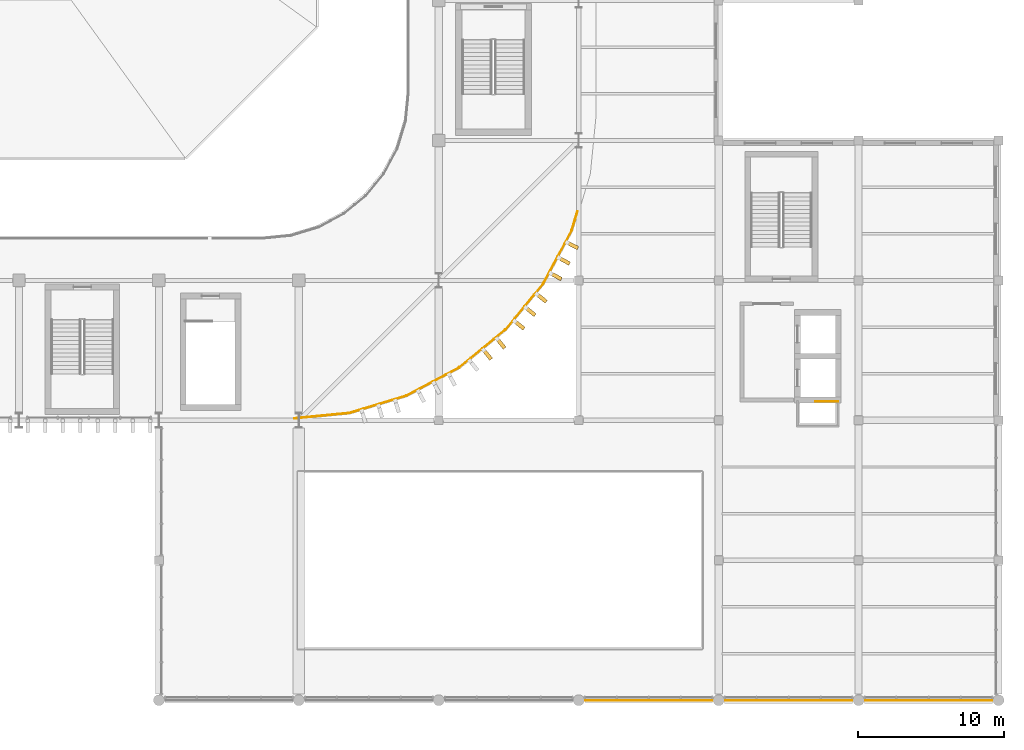
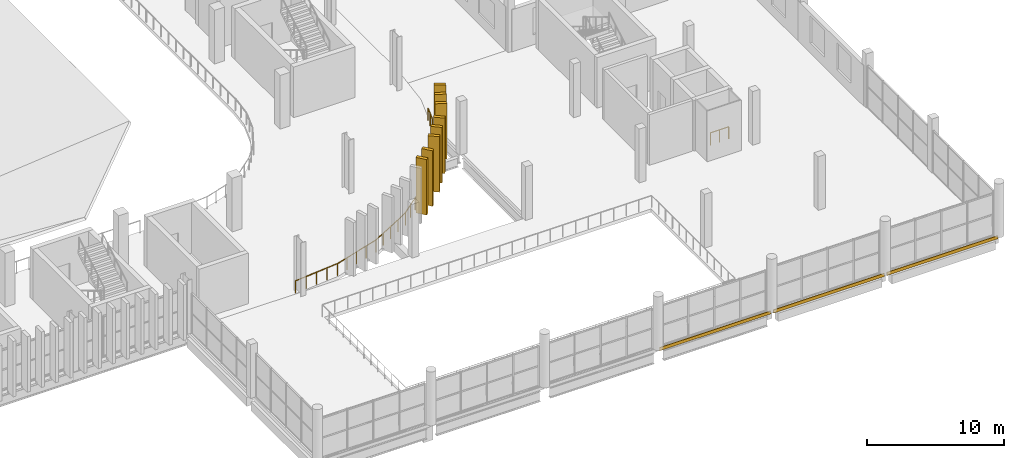
# One storey, part 92 of 99: 11 coverings, 2 railings.
"""IFC4 building model written with IfcOpenShell, lengths in metres."""

from ifc_helpers import new_model, si_unit, direction, frame, origin, origin_2d, place, context, subcontext, project, spatial, rectangle, circle, extrude, material, layer, layer_set, material_profile, profile_set, type_object, element, save


model = new_model("IFC4")

# Units and contexts
model_context = context("Model", 3, precision=1e-05, world=origin(), true_north=direction((0.0, 1.0)))
body_context = subcontext(model_context, "Body", "Model", "MODEL_VIEW")
ifc_project = project(units=[si_unit("LENGTHUNIT", "METRE"), si_unit("AREAUNIT", "SQUARE_METRE"), si_unit("VOLUMEUNIT", "CUBIC_METRE"), si_unit("PLANEANGLEUNIT", "RADIAN"), si_unit("MASSUNIT", "GRAM", prefix="KILO")], contexts=[model_context])

# Site, building, storey
site_placement = place(None, origin())
site = spatial("IfcSite", under=ifc_project, at=site_placement, CompositionType="ELEMENT")
building_placement = place(site_placement, origin())
building = spatial("IfcBuilding", under=site, at=building_placement, Name="Caelomonte Colonnade Arena", CompositionType="ELEMENT")
storey_placement = place(building_placement, frame((0.0, 0.0, 4.800048828125)))
storey = spatial("IfcBuildingStorey", under=building, at=storey_placement, Name="L01", CompositionType="ELEMENT", Elevation=4.800048828125)

# Coverings
ifc_material_1 = material(Name="Travertine ashlar limestone cladding", Category="masonry")
ifc_layer = layer(ifc_material_1, 0.06005859375)
ifc_layer_set = layer_set([ifc_layer], Name="Travertine ashlar limestone cladding")
covering_type_1 = type_object("IfcCoveringType", Name="ENV-CV-CLAD1", PredefinedType="CLADDING", material=ifc_layer_set)
for number, where, z_axis, x_axis, name in (
    (1, (168.0, -0.02001953125, -0.2900390625), (0.0, 0.0, 1.0), (1.0, 0.0, 0.0), "Portico limestone entablature cladding L01-4"),
    (2, (177.60009765625, -0.02001953125, -0.2900390625), (0.0, 0.0, 1.0), (1.0, 0.0, 0.0), "Portico limestone entablature cladding L01-5"),
    (3, (187.199951171875, -0.02001953125, -0.2900390625), (0.0, 0.0, 1.0), (1.0, 0.0, 0.0), "Portico limestone entablature cladding L01-6"),
):
    element("IfcCovering", number, at=place(storey_placement, frame(where, z_axis=z_axis, x_axis=x_axis)), inside=storey, type_object=covering_type_1, Name=name, PredefinedType="CLADDING", context=body_context, shape_type="SweptSolid", body=[
        extrude(rectangle(XDim=9.39990234375, YDim=0.06005859375, at=origin_2d()), origin(), (0.0, 0.0, 1.0), 0.280029296875),
    ])
ifc_material_2 = material(Name="Precast travertine cladding", Category="masonry")
ifc_material_profile = material_profile(ifc_material_2, rectangle(XDim=0.260009765625, YDim=0.85009765625, at=origin_2d()), Name="FIN260X850")
ifc_profile_set = profile_set([ifc_material_profile], Name="Precast travertine cladding")
covering_type_2 = type_object("IfcCoveringType", Name="ENV-FN-SHAFT", PredefinedType="CLADDING", material=ifc_profile_set)
for number, where, z_axis, x_axis, name in (
    (4, (156.92529296875, 23.719482421875, -0.16015625), (0.0, 0.0, 1.0), (-0.77299384472, -0.634413521313, 0.0), "V1 L01 classical travertine vertical fin 11"),
    (5, (157.852783203125, 24.480712890625, -0.16015625), (0.0, 0.0, 1.0), (-0.77299384472, -0.634413521313, 0.0), "V1 L01 classical travertine vertical fin 12"),
    (6, (159.119140625, 25.747314453125, -0.16015625), (0.0, 0.0, 1.0), (-0.634413521313, -0.77299384472, 0.0), "V1 L01 classical travertine vertical fin 13"),
    (7, (159.880615234375, 26.6748046875, -0.16015625), (0.0, 0.0, 1.0), (-0.634413521313, -0.77299384472, 0.0), "V1 L01 classical travertine vertical fin 14"),
    (8, (160.641845703125, 27.602294921875, -0.16015625), (0.0, 0.0, 1.0), (-0.634413521313, -0.77299384472, 0.0), "V1 L01 classical travertine vertical fin 15"),
    (9, (161.63671875, 29.091552734375, -0.16015625), (0.0, 0.0, 1.0), (-0.471396736826, -0.881921264348, 0.0), "V1 L01 classical travertine vertical fin 16"),
    (10, (162.202392578125, 30.14990234375, -0.16015625), (0.0, 0.0, 1.0), (-0.471396736826, -0.881921264348, 0.0), "V1 L01 classical travertine vertical fin 17"),
    (11, (162.768310546875, 31.2080078125, -0.16015625), (0.0, 0.0, 1.0), (-0.471396736826, -0.881921264348, 0.0), "V1 L01 classical travertine vertical fin 18"),
):
    element("IfcCovering", number, at=place(storey_placement, frame(where, z_axis=z_axis, x_axis=x_axis)), inside=storey, type_object=covering_type_2, Name=name, PredefinedType="CLADDING", context=body_context, shape_type="SweptSolid", body=[
        extrude(rectangle(XDim=0.260009765625, YDim=0.85009765625, at=origin_2d()), origin(), (0.0, 0.0, 1.0), 4.960205078125),
    ])

# Railings
ifc_material_3 = material(Name="Painted galvanized steel handrail and posts", Category="steel")
railing_type_1 = type_object("IfcRailingType", Name="ENV-RL-GRD1", PredefinedType="GUARDRAIL", material=ifc_material_3)
railing_1_placement = place(storey_placement, frame((163.111083984375, 33.52880859375, 0.0)))
element("IfcRailing", 12, at=railing_1_placement, inside=storey, type_object=railing_type_1, Name="L01 SE colonnade loggia perimeter guard 1", PredefinedType="GUARDRAIL", context=body_context, shape_type="SweptSolid", body=[
    extrude(circle(Radius=0.02392578125, at=origin_2d()), frame((0.0, 0.0, 1.076171875), z_axis=(-0.290222447422, -0.956959210736, 0.0), x_axis=(0.956959210736, -0.290222447422, 0.0)), (0.0, 0.0, 1.0), 1.35498046875),
    extrude(circle(Radius=0.02392578125, at=origin_2d()), frame((-0.4169921875, -1.354248046875, 1.076171875), z_axis=(-0.471407637126, -0.88191543793, 0.0), x_axis=(0.88191543793, -0.471407637126, 0.0)), (0.0, 0.0, 1.0), 4.03466796875),
    extrude(circle(Radius=0.02392578125, at=origin_2d()), frame((-2.353515625, -4.964111328125, 1.076171875), z_axis=(-0.634434399082, -0.772976709391, 0.0), x_axis=(0.772976709391, -0.634434399082, 0.0)), (0.0, 0.0, 1.0), 4.03466796875),
    extrude(circle(Radius=0.02392578125, at=origin_2d()), frame((-4.957275390625, -8.126708984375, 1.076171875), z_axis=(-0.77295272311, -0.634463622154, 0.0), x_axis=(0.634463622154, -0.77295272311, 0.0)), (0.0, 0.0, 1.0), 4.034423828125),
    extrude(circle(Radius=0.02392578125, at=origin_2d()), frame((-8.12744140625, -10.720947265625, 1.076171875), z_axis=(-0.881940210989, -0.471361288441, 0.0), x_axis=(0.471361288441, -0.881940210989, 0.0)), (0.0, 0.0, 1.0), 4.034423828125),
    extrude(circle(Radius=0.02392578125, at=origin_2d()), frame((-11.7431640625, -12.646484375, 1.076171875), z_axis=(-0.95694769148, -0.290260427498, 0.0), x_axis=(0.290260427498, -0.95694769148, 0.0)), (0.0, 0.0, 1.0), 4.034423828125),
    extrude(circle(Radius=0.02392578125, at=origin_2d()), frame((-15.664794921875, -13.829833984375, 1.076171875), z_axis=(-0.995182698904, -0.098037726419, 0.0), x_axis=(0.098037726419, -0.995182698904, 0.0)), (0.0, 0.0, 1.0), 3.761474609375),
    extrude(circle(Radius=0.02099609375, at=origin_2d()), origin(), (0.0, 0.0, 1.0), 1.048095703125),
    extrude(circle(Radius=0.02099609375, at=origin_2d()), frame((-0.201171875, -0.663330078125, 0.0)), (0.0, 0.0, 1.0), 1.048095703125),
    extrude(circle(Radius=0.02099609375, at=origin_2d()), frame((-0.40234375, -1.32666015625, 0.0)), (0.0, 0.0, 1.0), 1.048095703125),
    extrude(circle(Radius=0.02099609375, at=origin_2d()), frame((-0.88525390625, -2.22998046875, 0.0)), (0.0, 0.0, 1.0), 1.048095703125),
    extrude(circle(Radius=0.02099609375, at=origin_2d()), frame((-1.3681640625, -3.13330078125, 0.0)), (0.0, 0.0, 1.0), 1.048095703125),
    extrude(circle(Radius=0.02099609375, at=origin_2d()), frame((-1.850830078125, -4.03662109375, 0.0)), (0.0, 0.0, 1.0), 1.048095703125),
    extrude(circle(Radius=0.02099609375, at=origin_2d()), frame((-2.333740234375, -4.93994140625, 0.0)), (0.0, 0.0, 1.0), 1.048095703125),
    extrude(circle(Radius=0.02099609375, at=origin_2d()), frame((-2.983642578125, -5.731689453125, 0.0)), (0.0, 0.0, 1.0), 1.048095703125),
    extrude(circle(Radius=0.02099609375, at=origin_2d()), frame((-3.63330078125, -6.5234375, 0.0)), (0.0, 0.0, 1.0), 1.048095703125),
    extrude(circle(Radius=0.02099609375, at=origin_2d()), frame((-4.283203125, -7.315185546875, 0.0)), (0.0, 0.0, 1.0), 1.048095703125),
    extrude(circle(Radius=0.02099609375, at=origin_2d()), frame((-4.93310546875, -8.10693359375, 0.0)), (0.0, 0.0, 1.0), 1.048095703125),
    extrude(circle(Radius=0.02099609375, at=origin_2d()), frame((-5.724853515625, -8.7568359375, 0.0)), (0.0, 0.0, 1.0), 1.048095703125),
    extrude(circle(Radius=0.02099609375, at=origin_2d()), frame((-6.5166015625, -9.40673828125, 0.0)), (0.0, 0.0, 1.0), 1.048095703125),
    extrude(circle(Radius=0.02099609375, at=origin_2d()), frame((-7.30810546875, -10.056396484375, 0.0)), (0.0, 0.0, 1.0), 1.048095703125),
    extrude(circle(Radius=0.02099609375, at=origin_2d()), frame((-8.099853515625, -10.706298828125, 0.0)), (0.0, 0.0, 1.0), 1.048095703125),
    extrude(circle(Radius=0.02099609375, at=origin_2d()), frame((-9.003173828125, -11.18896484375, 0.0)), (0.0, 0.0, 1.0), 1.048095703125),
    extrude(circle(Radius=0.02099609375, at=origin_2d()), frame((-9.906494140625, -11.671875, 0.0)), (0.0, 0.0, 1.0), 1.048095703125),
    extrude(circle(Radius=0.02099609375, at=origin_2d()), frame((-10.809814453125, -12.15478515625, 0.0)), (0.0, 0.0, 1.0), 1.048095703125),
    extrude(circle(Radius=0.02099609375, at=origin_2d()), frame((-11.713134765625, -12.637451171875, 0.0)), (0.0, 0.0, 1.0), 1.048095703125),
    extrude(circle(Radius=0.02099609375, at=origin_2d()), frame((-12.693359375, -12.934814453125, 0.0)), (0.0, 0.0, 1.0), 1.048095703125),
    extrude(circle(Radius=0.02099609375, at=origin_2d()), frame((-13.67333984375, -13.23193359375, 0.0)), (0.0, 0.0, 1.0), 1.048095703125),
    extrude(circle(Radius=0.02099609375, at=origin_2d()), frame((-14.653564453125, -13.529296875, 0.0)), (0.0, 0.0, 1.0), 1.048095703125),
    extrude(circle(Radius=0.02099609375, at=origin_2d()), frame((-15.6337890625, -13.82666015625, 0.0)), (0.0, 0.0, 1.0), 1.048095703125),
    extrude(circle(Radius=0.02099609375, at=origin_2d()), frame((-16.577392578125, -13.919677734375, 0.0)), (0.0, 0.0, 1.0), 1.048095703125),
    extrude(circle(Radius=0.02099609375, at=origin_2d()), frame((-17.52099609375, -14.0126953125, 0.0)), (0.0, 0.0, 1.0), 1.048095703125),
    extrude(circle(Radius=0.02099609375, at=origin_2d()), frame((-18.464599609375, -14.10546875, 0.0)), (0.0, 0.0, 1.0), 1.048095703125),
    extrude(circle(Radius=0.02099609375, at=origin_2d()), frame((-19.408203125, -14.198486328125, 0.0)), (0.0, 0.0, 1.0), 1.048095703125),
])
ifc_material_4 = material(Name="Painted galvanized steel stair guard", Category="steel")
railing_type_2 = type_object("IfcRailingType", Name="INT-RL-GRD", PredefinedType="GUARDRAIL", material=ifc_material_4)
railing_2_placement = place(storey_placement, frame((179.449951171875, 20.5, 0.0)))
element("IfcRailing", 13, at=railing_2_placement, inside=storey, type_object=railing_type_2, Name="Core C5 L01 riser opening guard", PredefinedType="GUARDRAIL", context=body_context, shape_type="SweptSolid", body=[
    extrude(circle(Radius=0.02392578125, at=origin_2d()), frame((0.0, 0.0, 1.076171875), z_axis=(1.0, 0.0, 0.0), x_axis=(0.0, 1.0, 0.0)), (0.0, 0.0, 1.0), 1.550048828125),
    extrude(circle(Radius=0.02099609375, at=origin_2d()), origin(), (0.0, 0.0, 1.0), 1.048095703125),
    extrude(circle(Radius=0.02099609375, at=origin_2d()), frame((0.77490234375, 0.0, 0.0)), (0.0, 0.0, 1.0), 1.048095703125),
    extrude(circle(Radius=0.02099609375, at=origin_2d()), frame((1.550048828125, 0.0, 0.0)), (0.0, 0.0, 1.0), 1.048095703125),
])

save(model, "model.ifc")
